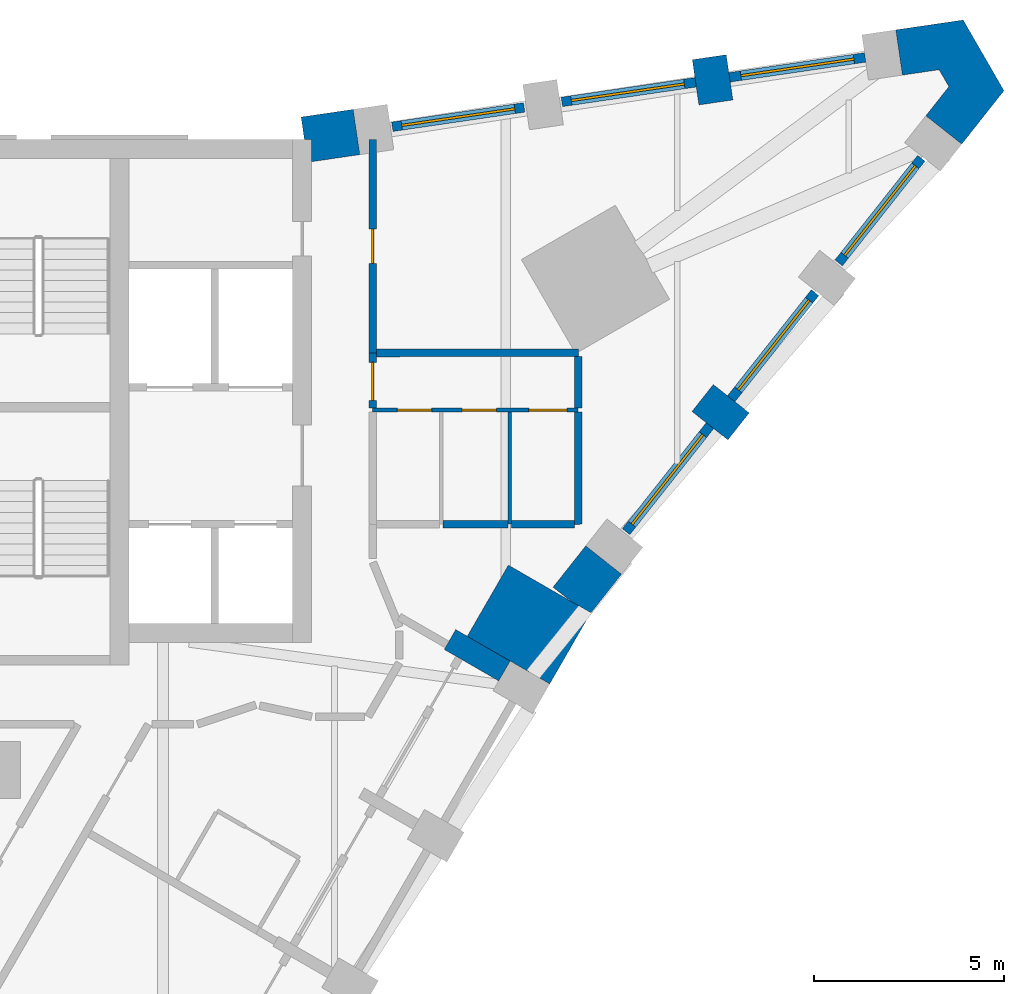
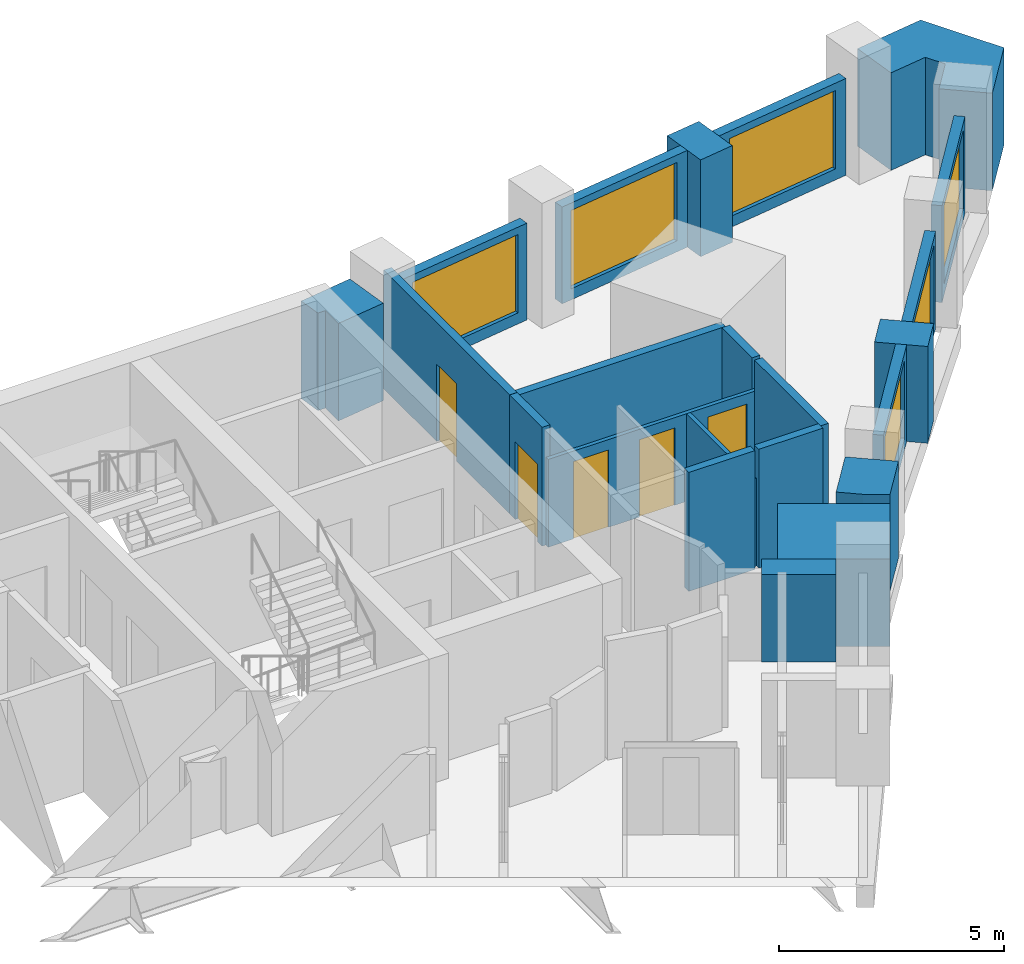
# One storey, part 9 of 11: 22 walls, 6 windows, 5 doors, 11 openings.
"""IFC4 building model written with IfcOpenShell, lengths in metres."""

from ifc_helpers import new_model, si_unit, direction, frame, frame_2d, origin, place, context, subcontext, project, spatial, polyline, rectangle, outline, extrude, material, layer, layer_set, type_object, element, fill, save


model = new_model("IFC4")

# Units and contexts
model_context = context("Model", 3, precision=1e-05, world=origin(), true_north=direction((0.0, 1.0)))
body_context = subcontext(model_context, "Body", "Model", "MODEL_VIEW")
ifc_project = project(units=[si_unit("LENGTHUNIT", "METRE"), si_unit("AREAUNIT", "SQUARE_METRE"), si_unit("VOLUMEUNIT", "CUBIC_METRE"), si_unit("PLANEANGLEUNIT", "RADIAN"), si_unit("MASSUNIT", "GRAM", prefix="KILO")], contexts=[model_context])

# Site, building, storey
site_placement = place(None, origin())
site = spatial("IfcSite", under=ifc_project, at=site_placement, CompositionType="ELEMENT")
building_placement = place(site_placement, origin())
building = spatial("IfcBuilding", under=site, at=building_placement, Name="Calabash Gate Tower", CompositionType="ELEMENT")
storey_placement = place(building_placement, frame((0.0, 0.0, 125.800048828125)))
storey = spatial("IfcBuildingStorey", under=building, at=storey_placement, Name="L29", CompositionType="ELEMENT", Elevation=125.800048828125)

# Walls
ifc_material_1 = material(Name="Terracotta brick masonry, exposed face", Category="masonry")
ifc_layer_1 = layer(ifc_material_1, 2.5)
ifc_layer_set_1 = layer_set([ifc_layer_1], Name="Brick corner mass wall 2500")
wall_type_1 = type_object("IfcWallType", Name="Brick corner mass wall 2500", PredefinedType="SOLIDWALL", material=ifc_layer_set_1)
wall_1_placement = place(storey_placement, origin())
element("IfcWall", 1, at=wall_1_placement, inside=storey, type_object=wall_type_1, Name="Brick corner pier S08 2", PredefinedType="SOLIDWALL", context=body_context, shape_type="SweptSolid", body=[
    extrude(outline(polyline([(22.564697265625, 7.878173828125), (21.486083984375, 6.01025390625), (22.612060546875, 5.360107421875), (22.6123046875, 5.360595703125), (23.651611328125, 4.7607421875), (24.729736328125, 6.628173828125), (22.564697265625, 7.878173828125)])), origin(), (0.0, 0.0, 1.0), 2.384033203125),
])
ifc_material_2 = material(Name="Terracotta brick masonry, exposed face", Category="masonry")
ifc_layer_2 = layer(ifc_material_2, 1.199951171875)
ifc_layer_set_2 = layer_set([ifc_layer_2], Name="Brick end wall 1200")
wall_type_2 = type_object("IfcWallType", Name="Brick end wall 1200", PredefinedType="SOLIDWALL", material=ifc_layer_set_2)
wall_2_placement = place(storey_placement, frame((28.6083984375, 11.5224609375, 0.0), z_axis=(0.0, 0.0, 1.0), x_axis=(-0.784408686564, 0.620244316736, 0.0)))
element("IfcWall", 2, at=wall_2_placement, inside=storey, type_object=wall_type_2, Name="Brick pier S08 wedge3.1", PredefinedType="SOLIDWALL", context=body_context, shape_type="SweptSolid", body=[
    extrude(rectangle(XDim=1.2001953125, YDim=0.89990234375, at=frame_2d((0.60009765625, 0.0))), origin(), (0.0, 0.0, 1.0), 2.6298828125),
])
wall_3_placement = place(storey_placement, frame((27.84033203125, 21.217041015625, 0.0), z_axis=(0.0, 0.0, 1.0), x_axis=(0.145066385332, -0.989421924078, 0.0)))
element("IfcWall", 3, at=wall_3_placement, inside=storey, type_object=wall_type_2, Name="Brick pier S08 wedge5.1", PredefinedType="SOLIDWALL", context=body_context, shape_type="SweptSolid", body=[
    extrude(rectangle(XDim=1.199951171875, YDim=0.89990234375, at=frame_2d((0.60009765625, 0.0))), origin(), (0.0, 0.0, 1.0), 2.6298828125),
])
wall_4_placement = place(storey_placement, origin())
element("IfcWall", 4, at=wall_4_placement, inside=storey, type_object=wall_type_2, Name="Brick end wall S08 1", PredefinedType="SOLIDWALL", context=body_context, shape_type="SweptSolid", body=[
    extrude(outline(polyline([(24.5966796875, 8.38427734375), (23.739501953125, 7.30029296875), (24.2099609375, 6.92822265625), (24.729736328125, 6.628173828125), (24.707763671875, 6.59033203125), (25.537841796875, 7.639892578125), (24.5966796875, 8.38427734375)])), origin(), (0.0, 0.0, 1.0), 2.6298828125),
])
wall_5_placement = place(storey_placement, origin())
element("IfcWall", 5, at=wall_5_placement, inside=storey, type_object=wall_type_2, Name="Brick end wall S08 2", PredefinedType="SOLIDWALL", context=body_context, shape_type="SweptSolid", body=[
    extrude(outline(polyline([(34.13330078125, 20.443359375), (33.52880859375, 19.678955078125), (34.47021484375, 18.9345703125), (35.579833984375, 20.337890625), (34.50830078125, 22.1943359375), (32.73828125, 21.934814453125), (32.912109375, 20.74755859375), (33.876220703125, 20.888916015625), (34.13330078125, 20.443359375)])), origin(), (0.0, 0.0, 1.0), 2.64990234375),
])
wall_6_placement = place(storey_placement, origin())
element("IfcWall", 6, at=wall_6_placement, inside=storey, type_object=wall_type_2, Name="Brick end wall S08 3", PredefinedType="SOLIDWALL", context=body_context, shape_type="SweptSolid", body=[
    extrude(outline(polyline([(17.123046875, 19.646240234375), (17.2099609375, 19.052490234375), (17.39990234375, 19.052490234375), (17.39990234375, 18.473876953125), (18.664306640625, 18.6591796875), (18.490234375, 19.8466796875), (17.123046875, 19.646240234375)])), origin(), (0.0, 0.0, 1.0), 2.64990234375),
])
ifc_material_3 = material(Name="Terracotta brick masonry, exposed face", Category="masonry")
ifc_layer_3 = layer(ifc_material_3, 0.300048828125)
ifc_layer_set_3 = layer_set([ifc_layer_3], Name="Brick loggia cheek wall 300")
wall_type_3 = type_object("IfcWallType", Name="Brick loggia cheek wall 300", PredefinedType="SOLIDWALL", material=ifc_layer_set_3)
wall_7_placement = place(storey_placement, frame((21.032958984375, 5.92529296875, 0.0), z_axis=(0.0, 0.0, 1.0), x_axis=(0.866040211805, -0.499974350878, 0.0)))
element("IfcWall", 7, at=wall_7_placement, inside=storey, type_object=wall_type_3, Name="Loggia cheek S08 SE2.8", PredefinedType="SOLIDWALL", context=body_context, shape_type="SweptSolid", body=[
    extrude(rectangle(XDim=1.64990234375, YDim=0.60009765625, at=frame_2d((0.824951171875, 0.0))), origin(), (0.0, 0.0, 1.0), 2.384033203125),
])
ifc_material_4 = material(Name="Gypsum board on steel studs, mineral wool", Category="steel")
ifc_layer_4 = layer(ifc_material_4, 0.10009765625)
ifc_layer_set_4 = layer_set([ifc_layer_4], Name="Partition 100 gypsum board")
wall_type_4 = type_object("IfcWallType", Name="Partition 100 gypsum board", PredefinedType="PARTITIONING", material=ifc_layer_set_4)
wall_8_placement = place(storey_placement, frame((22.60009765625, 8.952880859375, 0.0), z_axis=(0.0, 0.0, 1.0), x_axis=(0.000662525735, 0.99999978053, 0.0)))
element("IfcWall", 8, at=wall_8_placement, inside=storey, type_object=wall_type_4, Name="Partition", PredefinedType="PARTITIONING", context=body_context, shape_type="SweptSolid", body=[
    extrude(rectangle(XDim=2.947998046875, YDim=0.10009765625, at=frame_2d((1.47412109375, 0.0))), origin(), (0.0, 0.0, 1.0), 2.384033203125),
])

# Wall, openings, doors
wall_9_placement = place(storey_placement, frame((19.000244140625, 11.95068359375, 0.0), z_axis=(0.0, 0.0, 1.0), x_axis=(1.0, 0.0, 0.0)))
wall_9 = element("IfcWall", 9, at=wall_9_placement, inside=storey, type_object=wall_type_4, Name="Partition", PredefinedType="PARTITIONING", context=body_context, shape_type="SweptSolid", body=[
    extrude(rectangle(XDim=5.399658203125, YDim=0.10009765625, at=frame_2d((2.69970703125, 0.0))), origin(), (0.0, 0.0, 1.0), 2.384033203125),
])
opening_1_placement = place(wall_9_placement, frame((0.64990234375, 0.0, 0.0)))
opening_1 = element("IfcOpeningElement", 10, at=opening_1_placement, cuts=wall_9, Name="Opening 28-30-017", PredefinedType="OPENING", context=body_context, shape_type="SweptSolid", body=[
    extrude(rectangle(XDim=0.89990234375, YDim=2.10009765625, at=frame_2d((0.449951171875, 1.050048828125))), frame((0.0, 0.06005859375, 0.0), z_axis=(0.0, -1.0, 0.0), x_axis=(1.0, 0.0, 0.0)), (0.0, 0.0, 1.0), 0.1201171875),
])
opening_2_placement = place(wall_9_placement, frame((2.349853515625, 0.0, 0.0)))
opening_2 = element("IfcOpeningElement", 11, at=opening_2_placement, cuts=wall_9, Name="Opening 28-30-018", PredefinedType="OPENING", context=body_context, shape_type="SweptSolid", body=[
    extrude(rectangle(XDim=0.89990234375, YDim=2.10009765625, at=frame_2d((0.449951171875, 1.050048828125))), frame((0.0, 0.06005859375, 0.0), z_axis=(0.0, -1.0, 0.0), x_axis=(1.0, 0.0, 0.0)), (0.0, 0.0, 1.0), 0.1201171875),
])
opening_3_placement = place(wall_9_placement, frame((4.099853515625, 0.0, 0.0)))
opening_3 = element("IfcOpeningElement", 12, at=opening_3_placement, cuts=wall_9, Name="Opening 28-30-019", PredefinedType="OPENING", context=body_context, shape_type="SweptSolid", body=[
    extrude(rectangle(XDim=1.0, YDim=2.10009765625, at=frame_2d((0.5, 1.050048828125))), frame((0.0, 0.06005859375, 0.0), z_axis=(0.0, -1.0, 0.0), x_axis=(1.0, 0.0, 0.0)), (0.0, 0.0, 1.0), 0.1201171875),
])
ifc_material_5 = material(Name="Painted timber door", Category="wood")
door_type_1 = type_object("IfcDoorType", Name="WD1 WC door 900x2100", OperationType="NOTDEFINED", PredefinedType="DOOR", material=ifc_material_5)
door_1_placement = place(opening_1_placement, origin())
door_1 = element("IfcDoor", 13, at=door_1_placement, inside=storey, type_object=door_type_1, Name="WC door", OperationType="SINGLE_SWING_RIGHT", OverallHeight=2.10009765625, OverallWidth=0.89990234375, PredefinedType="DOOR", context=body_context, shape_type="SweptSolid", body=[
    extrude(rectangle(XDim=0.89990234375, YDim=2.10009765625, at=frame_2d((0.449951171875, 1.050048828125))), frame((0.0, 0.02490234375, 0.0), z_axis=(0.0, -1.0, 0.0), x_axis=(1.0, 0.0, 0.0)), (0.0, 0.0, 1.0), 0.050048828125),
])
fill(opening_1, door_1)
door_2_placement = place(opening_2_placement, origin())
door_2 = element("IfcDoor", 14, at=door_2_placement, inside=storey, type_object=door_type_1, Name="WC door", OperationType="SINGLE_SWING_LEFT", OverallHeight=2.10009765625, OverallWidth=0.89990234375, PredefinedType="DOOR", context=body_context, shape_type="SweptSolid", body=[
    extrude(rectangle(XDim=0.89990234375, YDim=2.10009765625, at=frame_2d((0.449951171875, 1.050048828125))), frame((0.0, 0.02490234375, 0.0), z_axis=(0.0, -1.0, 0.0), x_axis=(1.0, 0.0, 0.0)), (0.0, 0.0, 1.0), 0.050048828125),
])
fill(opening_2, door_2)
ifc_material_6 = material(Name="Painted timber door", Category="wood")
door_type_2 = type_object("IfcDoorType", Name="WD2 Accessible WC door 1000x2100", OperationType="NOTDEFINED", PredefinedType="DOOR", material=ifc_material_6)
door_3_placement = place(opening_3_placement, origin())
door_3 = element("IfcDoor", 15, at=door_3_placement, inside=storey, type_object=door_type_2, Name="Accessible WC door", OperationType="SINGLE_SWING_LEFT", OverallHeight=2.10009765625, OverallWidth=1.0, PredefinedType="DOOR", context=body_context, shape_type="SweptSolid", body=[
    extrude(rectangle(XDim=1.0, YDim=2.10009765625, at=frame_2d((0.5, 1.050048828125))), frame((0.0, 0.02490234375, 0.0), z_axis=(0.0, -1.0, 0.0), x_axis=(1.0, 0.0, 0.0)), (0.0, 0.0, 1.0), 0.050048828125),
])
fill(opening_3, door_3)

# Walls
ifc_material_7 = material(Name="Gypsum board on steel studs, mineral wool", Category="steel")
ifc_layer_5 = layer(ifc_material_7, 0.199951171875)
ifc_layer_set_5 = layer_set([ifc_layer_5], Name="Partition 200 gypsum board EI 60")
wall_type_5 = type_object("IfcWallType", Name="Partition 200 gypsum board EI 60", PredefinedType="PARTITIONING", material=ifc_layer_set_5)
wall_10_placement = place(storey_placement, frame((20.85009765625, 8.952880859375, 0.0), z_axis=(0.0, 0.0, 1.0), x_axis=(0.999999628739, 0.000861697224, 0.0)))
element("IfcWall", 16, at=wall_10_placement, inside=storey, type_object=wall_type_5, Name="Partition", PredefinedType="PARTITIONING", context=body_context, shape_type="SweptSolid", body=[
    extrude(rectangle(XDim=1.699951171875, YDim=0.199951171875, at=frame_2d((0.85009765625, 0.0))), origin(), (0.0, 0.0, 1.0), 3.22998046875),
])
wall_11_placement = place(storey_placement, frame((22.650146484375, 8.952880859375, 0.0), z_axis=(0.0, 0.0, 1.0), x_axis=(1.0, 0.0, 0.0)))
element("IfcWall", 17, at=wall_11_placement, inside=storey, type_object=wall_type_5, Name="Partition", PredefinedType="PARTITIONING", context=body_context, shape_type="SweptSolid", body=[
    extrude(rectangle(XDim=1.64990234375, YDim=0.199951171875, at=frame_2d((0.824951171875, 0.0))), origin(), (0.0, 0.0, 1.0), 3.22998046875),
])
wall_12_placement = place(storey_placement, frame((24.398193359375, 11.902587890625, 0.0), z_axis=(0.0, 0.0, 1.0), x_axis=(0.000579374179, -0.999999832163, 0.0)))
element("IfcWall", 18, at=wall_12_placement, inside=storey, type_object=wall_type_5, Name="Partition", PredefinedType="PARTITIONING", context=body_context, shape_type="SweptSolid", body=[
    extrude(rectangle(XDim=2.94970703125, YDim=0.199951171875, at=frame_2d((1.474853515625, 0.0))), origin(), (0.0, 0.0, 1.0), 3.22998046875),
])
wall_13_placement = place(storey_placement, frame((24.3984375, 12.002685546875, 0.0), z_axis=(0.0, 0.0, 1.0), x_axis=(0.00108499032, 0.999999411398, 0.0)))
element("IfcWall", 19, at=wall_13_placement, inside=storey, type_object=wall_type_5, Name="Partition", PredefinedType="PARTITIONING", context=body_context, shape_type="SweptSolid", body=[
    extrude(rectangle(XDim=1.35009765625, YDim=0.199951171875, at=frame_2d((0.675048828125, 0.0))), origin(), (0.0, 0.0, 1.0), 3.22998046875),
])

# Wall, opening, door
wall_14_placement = place(storey_placement, frame((19.00048828125, 19.052490234375, 0.0), z_axis=(0.0, 0.0, 1.0), x_axis=(0.000261608886, -0.99999996578, 0.0)))
wall_14 = element("IfcWall", 20, at=wall_14_placement, inside=storey, type_object=wall_type_5, Name="Partition", PredefinedType="PARTITIONING", context=body_context, shape_type="SweptSolid", body=[
    extrude(rectangle(XDim=5.599365234375, YDim=0.199951171875, at=frame_2d((2.7998046875, 0.0))), origin(), (0.0, 0.0, 1.0), 3.22998046875),
])
opening_4_placement = place(wall_14_placement, frame((2.349853515625, 0.0, 0.0)))
opening_4 = element("IfcOpeningElement", 21, at=opening_4_placement, cuts=wall_14, Name="Opening 28-30-022", PredefinedType="OPENING", context=body_context, shape_type="SweptSolid", body=[
    extrude(rectangle(XDim=0.89990234375, YDim=2.10009765625, at=frame_2d((0.449951171875, 1.050048828125))), frame((0.0, 0.10986328125, 0.0), z_axis=(0.0, -1.0, 0.0), x_axis=(1.0, 0.0, 0.0)), (0.0, 0.0, 1.0), 0.219970703125),
])
ifc_material_8 = material(Name="Steel fire door set with fire-resisting glazing", Category="steel")
door_type_3 = type_object("IfcDoorType", Name="SD3 Store door 900x2100", OperationType="NOTDEFINED", PredefinedType="DOOR", material=ifc_material_8)
door_4_placement = place(opening_4_placement, origin())
door_4 = element("IfcDoor", 22, at=door_4_placement, inside=storey, type_object=door_type_3, Name="Store door", OperationType="SINGLE_SWING_RIGHT", OverallHeight=2.10009765625, OverallWidth=0.89990234375, PredefinedType="DOOR", context=body_context, shape_type="SweptSolid", body=[
    extrude(rectangle(XDim=0.89990234375, YDim=2.10009765625, at=frame_2d((0.449951171875, 1.050048828125))), frame((0.0, 0.02490234375, 0.0), z_axis=(0.0, -1.0, 0.0), x_axis=(1.0, 0.0, 0.0)), (0.0, 0.0, 1.0), 0.050048828125),
])
fill(opening_4, door_4)

wall_15_placement = place(storey_placement, frame((19.000244140625, 12.002685546875, 0.0), z_axis=(0.0, 0.0, 1.0), x_axis=(0.001179840743, 0.999999303988, 0.0)))
wall_15 = element("IfcWall", 23, at=wall_15_placement, inside=storey, type_object=wall_type_5, Name="Partition", PredefinedType="PARTITIONING", context=body_context, shape_type="SweptSolid", body=[
    extrude(rectangle(XDim=1.448486328125, YDim=0.199951171875, at=frame_2d((0.72412109375, 0.0))), origin(), (0.0, 0.0, 1.0), 3.22998046875),
])
opening_5_placement = place(wall_15_placement, frame((0.199951171875, 0.0, 0.0)))
opening_5 = element("IfcOpeningElement", 24, at=opening_5_placement, cuts=wall_15, Name="Opening 28-30-016", PredefinedType="OPENING", context=body_context, shape_type="SweptSolid", body=[
    extrude(rectangle(XDim=1.0, YDim=2.10009765625, at=frame_2d((0.5, 1.050048828125))), frame((0.0, 0.10986328125, 0.0), z_axis=(0.0, -1.0, 0.0), x_axis=(1.0, 0.0, 0.0)), (0.0, 0.0, 1.0), 0.219970703125),
])
ifc_material_9 = material(Name="Steel fire door set with fire-resisting glazing", Category="steel")
door_type_4 = type_object("IfcDoorType", Name="WD3 WC lobby door 1000x2100", OperationType="NOTDEFINED", PredefinedType="DOOR", material=ifc_material_9)
door_5_placement = place(opening_5_placement, origin())
door_5 = element("IfcDoor", 25, at=door_5_placement, inside=storey, type_object=door_type_4, Name="WC lobby door", OperationType="SINGLE_SWING_RIGHT", OverallHeight=2.10009765625, OverallWidth=1.0, PredefinedType="DOOR", context=body_context, shape_type="SweptSolid", body=[
    extrude(rectangle(XDim=1.0, YDim=2.10009765625, at=frame_2d((0.5, 1.050048828125))), frame((0.0, 0.02490234375, 0.0), z_axis=(0.0, -1.0, 0.0), x_axis=(1.0, 0.0, 0.0)), (0.0, 0.0, 1.0), 0.050048828125),
])
fill(opening_5, door_5)

# Wall
wall_16_placement = place(storey_placement, frame((19.10205078125, 13.451171875, 0.0), z_axis=(0.0, 0.0, 1.0), x_axis=(0.999999947971, 0.000322580628, 0.0)))
element("IfcWall", 26, at=wall_16_placement, inside=storey, type_object=wall_type_5, Name="Partition", PredefinedType="PARTITIONING", context=body_context, shape_type="SweptSolid", body=[
    extrude(rectangle(XDim=5.2978515625, YDim=0.199951171875, at=frame_2d((2.64892578125, 0.0))), origin(), (0.0, 0.0, 1.0), 3.22998046875),
])

# Wall, opening, window
ifc_material_10 = material(Name="Aluminium framed window wall with insulated spandrel", Category="aluminium")
ifc_layer_6 = layer(ifc_material_10, 0.25)
ifc_layer_set_6 = layer_set([ifc_layer_6], Name="Prow window wall 250")
wall_type_6 = type_object("IfcWallType", Name="Prow window wall 250", PredefinedType="ELEMENTEDWALL", material=ifc_layer_set_6)
wall_17_placement = place(storey_placement, frame((25.656494140625, 8.757080078125, 0.0), z_axis=(0.0, 0.0, 1.0), x_axis=(0.620301477136, 0.784363485549, 0.0)))
wall_17 = element("IfcWall", 27, at=wall_17_placement, inside=storey, type_object=wall_type_6, Name="Prow window wall S08 wedge3.1", PredefinedType="ELEMENTEDWALL", context=body_context, shape_type="SweptSolid", body=[
    extrude(rectangle(XDim=3.552001953125, YDim=0.25, at=frame_2d((1.77587890625, 0.0))), origin(), (0.0, 0.0, 1.0), 2.6298828125),
])
opening_6_placement = place(wall_17_placement, frame((0.25, 0.0, 0.300048828125)))
opening_6 = element("IfcOpeningElement", 28, at=opening_6_placement, cuts=wall_17, Name="Opening WP1L-2130", PredefinedType="OPENING", context=body_context, shape_type="SweptSolid", body=[
    extrude(rectangle(XDim=3.0, YDim=2.1298828125, at=frame_2d((1.5, 1.06494140625))), frame((0.0, 0.135009765625, 0.0), z_axis=(0.0, -1.0, 0.0), x_axis=(1.0, 0.0, 0.0)), (0.0, 0.0, 1.0), 0.27001953125),
])
ifc_material_11 = material(Name="Anodised aluminium frame, bronze finish, impact-rated laminated clear glazing", Category="aluminium")
window_type = type_object("IfcWindowType", Name="Window WP1L 3000x2130", PartitioningType="DOUBLE_PANEL_VERTICAL", PredefinedType="WINDOW", material=ifc_material_11)
window_1_placement = place(opening_6_placement, origin())
window_1 = element("IfcWindow", 29, at=window_1_placement, inside=storey, type_object=window_type, Name="Prow window WP1L S08 wedge3.1", OverallHeight=2.1298828125, OverallWidth=3.0, PartitioningType="SINGLE_PANEL", PredefinedType="WINDOW", context=body_context, shape_type="SweptSolid", body=[
    extrude(rectangle(XDim=3.0, YDim=2.1298828125, at=frame_2d((1.5, 1.06494140625))), frame((0.0, 0.030029296875, 0.0), z_axis=(0.0, -1.0, 0.0), x_axis=(1.0, 0.0, 0.0)), (0.0, 0.0, 1.0), 0.06005859375),
])
fill(opening_6, window_1)

wall_18_placement = place(storey_placement, frame((28.41552734375, 12.24609375, 0.0), z_axis=(0.0, 0.0, 1.0), x_axis=(0.620334919108, 0.784337037335, 0.0)))
wall_18 = element("IfcWall", 30, at=wall_18_placement, inside=storey, type_object=wall_type_6, Name="Prow window wall S08 wedge3.2", PredefinedType="ELEMENTEDWALL", context=body_context, shape_type="SweptSolid", body=[
    extrude(rectangle(XDim=3.552001953125, YDim=0.25, at=frame_2d((1.77587890625, 0.0))), origin(), (0.0, 0.0, 1.0), 2.6298828125),
])
opening_7_placement = place(wall_18_placement, frame((0.302001953125, 0.0, 0.300048828125)))
opening_7 = element("IfcOpeningElement", 31, at=opening_7_placement, cuts=wall_18, Name="Opening WP1L-2130", PredefinedType="OPENING", context=body_context, shape_type="SweptSolid", body=[
    extrude(rectangle(XDim=3.0, YDim=2.1298828125, at=frame_2d((1.5, 1.06494140625))), frame((0.0, 0.135009765625, 0.0), z_axis=(0.0, -1.0, 0.0), x_axis=(1.0, 0.0, 0.0)), (0.0, 0.0, 1.0), 0.27001953125),
])
window_2_placement = place(opening_7_placement, origin())
window_2 = element("IfcWindow", 32, at=window_2_placement, inside=storey, type_object=window_type, Name="Prow window WP1L S08 wedge3.2", OverallHeight=2.1298828125, OverallWidth=3.0, PartitioningType="SINGLE_PANEL", PredefinedType="WINDOW", context=body_context, shape_type="SweptSolid", body=[
    extrude(rectangle(XDim=3.0, YDim=2.1298828125, at=frame_2d((1.5, 1.06494140625))), frame((0.0, 0.030029296875, 0.0), z_axis=(0.0, -1.0, 0.0), x_axis=(1.0, 0.0, 0.0)), (0.0, 0.0, 1.0), 0.06005859375),
])
fill(opening_7, window_2)

wall_19_placement = place(storey_placement, frame((31.2392578125, 15.81640625, 0.0), z_axis=(0.0, 0.0, 1.0), x_axis=(0.620261535806, 0.784395070866, 0.0)))
wall_19 = element("IfcWall", 33, at=wall_19_placement, inside=storey, type_object=wall_type_6, Name="Prow window wall S08 wedge3.3", PredefinedType="ELEMENTEDWALL", context=body_context, shape_type="SweptSolid", body=[
    extrude(rectangle(XDim=3.5, YDim=0.25, at=frame_2d((1.75, 0.0))), origin(), (0.0, 0.0, 1.0), 2.6298828125),
])
opening_8_placement = place(wall_19_placement, frame((0.25, 0.0, 0.300048828125)))
opening_8 = element("IfcOpeningElement", 34, at=opening_8_placement, cuts=wall_19, Name="Opening WP1L-2130", PredefinedType="OPENING", context=body_context, shape_type="SweptSolid", body=[
    extrude(rectangle(XDim=3.0, YDim=2.1298828125, at=frame_2d((1.5, 1.06494140625))), frame((0.0, 0.135009765625, 0.0), z_axis=(0.0, -1.0, 0.0), x_axis=(1.0, 0.0, 0.0)), (0.0, 0.0, 1.0), 0.27001953125),
])
window_3_placement = place(opening_8_placement, origin())
window_3 = element("IfcWindow", 35, at=window_3_placement, inside=storey, type_object=window_type, Name="Prow window WP1L S08 wedge3.3", OverallHeight=2.1298828125, OverallWidth=3.0, PartitioningType="SINGLE_PANEL", PredefinedType="WINDOW", context=body_context, shape_type="SweptSolid", body=[
    extrude(rectangle(XDim=3.0, YDim=2.1298828125, at=frame_2d((1.5, 1.06494140625))), frame((0.0, 0.030029296875, 0.0), z_axis=(0.0, -1.0, 0.0), x_axis=(1.0, 0.0, 0.0)), (0.0, 0.0, 1.0), 0.06005859375),
])
fill(opening_8, window_3)

wall_20_placement = place(storey_placement, frame((31.9345703125, 21.210693359375, 0.0), z_axis=(0.0, 0.0, 1.0), x_axis=(-0.98942335115, -0.145056651687, 0.0)))
wall_20 = element("IfcWall", 36, at=wall_20_placement, inside=storey, type_object=wall_type_6, Name="Prow window wall S08 wedge5.1", PredefinedType="ELEMENTEDWALL", context=body_context, shape_type="SweptSolid", body=[
    extrude(rectangle(XDim=3.60009765625, YDim=0.25, at=frame_2d((1.800048828125, 0.0))), origin(), (0.0, 0.0, 1.0), 2.6298828125),
])
opening_9_placement = place(wall_20_placement, frame((0.300048828125, 0.0, 0.300048828125)))
opening_9 = element("IfcOpeningElement", 37, at=opening_9_placement, cuts=wall_20, Name="Opening WP1L-2130", PredefinedType="OPENING", context=body_context, shape_type="SweptSolid", body=[
    extrude(rectangle(XDim=3.0, YDim=2.1298828125, at=frame_2d((1.5, 1.06494140625))), frame((0.0, 0.135009765625, 0.0), z_axis=(0.0, -1.0, 0.0), x_axis=(1.0, 0.0, 0.0)), (0.0, 0.0, 1.0), 0.27001953125),
])
window_4_placement = place(opening_9_placement, origin())
window_4 = element("IfcWindow", 38, at=window_4_placement, inside=storey, type_object=window_type, Name="Prow window WP1L S08 wedge5.1", OverallHeight=2.1298828125, OverallWidth=3.0, PartitioningType="SINGLE_PANEL", PredefinedType="WINDOW", context=body_context, shape_type="SweptSolid", body=[
    extrude(rectangle(XDim=3.0, YDim=2.1298828125, at=frame_2d((1.5, 1.06494140625))), frame((0.0, 0.030029296875, 0.0), z_axis=(0.0, -1.0, 0.0), x_axis=(1.0, 0.0, 0.0)), (0.0, 0.0, 1.0), 0.06005859375),
])
fill(opening_9, window_4)

wall_21_placement = place(storey_placement, frame((27.484130859375, 20.558349609375, 0.0), z_axis=(0.0, 0.0, 1.0), x_axis=(-0.989427410985, -0.145028957081, 0.0)))
wall_21 = element("IfcWall", 39, at=wall_21_placement, inside=storey, type_object=wall_type_6, Name="Prow window wall S08 wedge5.2", PredefinedType="ELEMENTEDWALL", context=body_context, shape_type="SweptSolid", body=[
    extrude(rectangle(XDim=3.552001953125, YDim=0.25, at=frame_2d((1.77587890625, 0.0))), origin(), (0.0, 0.0, 1.0), 2.6298828125),
])
opening_10_placement = place(wall_21_placement, frame((0.302001953125, 0.0, 0.300048828125)))
opening_10 = element("IfcOpeningElement", 40, at=opening_10_placement, cuts=wall_21, Name="Opening WP1L-2130", PredefinedType="OPENING", context=body_context, shape_type="SweptSolid", body=[
    extrude(rectangle(XDim=3.0, YDim=2.1298828125, at=frame_2d((1.5, 1.06494140625))), frame((0.0, 0.135009765625, 0.0), z_axis=(0.0, -1.0, 0.0), x_axis=(1.0, 0.0, 0.0)), (0.0, 0.0, 1.0), 0.27001953125),
])
window_5_placement = place(opening_10_placement, origin())
window_5 = element("IfcWindow", 41, at=window_5_placement, inside=storey, type_object=window_type, Name="Prow window WP1L S08 wedge5.2", OverallHeight=2.1298828125, OverallWidth=3.0, PartitioningType="SINGLE_PANEL", PredefinedType="WINDOW", context=body_context, shape_type="SweptSolid", body=[
    extrude(rectangle(XDim=3.0, YDim=2.1298828125, at=frame_2d((1.5, 1.06494140625))), frame((0.0, 0.030029296875, 0.0), z_axis=(0.0, -1.0, 0.0), x_axis=(1.0, 0.0, 0.0)), (0.0, 0.0, 1.0), 0.06005859375),
])
fill(opening_10, window_5)

wall_22_placement = place(storey_placement, frame((22.980224609375, 19.898193359375, 0.0), z_axis=(0.0, 0.0, 1.0), x_axis=(-0.989428130675, -0.145024047072, 0.0)))
wall_22 = element("IfcWall", 42, at=wall_22_placement, inside=storey, type_object=wall_type_6, Name="Prow window wall S08 wedge5.3", PredefinedType="ELEMENTEDWALL", context=body_context, shape_type="SweptSolid", body=[
    extrude(rectangle(XDim=3.5, YDim=0.25, at=frame_2d((1.75, 0.0))), origin(), (0.0, 0.0, 1.0), 2.6298828125),
])
opening_11_placement = place(wall_22_placement, frame((0.25, 0.0, 0.300048828125)))
opening_11 = element("IfcOpeningElement", 43, at=opening_11_placement, cuts=wall_22, Name="Opening WP1L-2130", PredefinedType="OPENING", context=body_context, shape_type="SweptSolid", body=[
    extrude(rectangle(XDim=3.0, YDim=2.1298828125, at=frame_2d((1.5, 1.06494140625))), frame((0.0, 0.135009765625, 0.0), z_axis=(0.0, -1.0, 0.0), x_axis=(1.0, 0.0, 0.0)), (0.0, 0.0, 1.0), 0.27001953125),
])
window_6_placement = place(opening_11_placement, origin())
window_6 = element("IfcWindow", 44, at=window_6_placement, inside=storey, type_object=window_type, Name="Prow window WP1L S08 wedge5.3", OverallHeight=2.1298828125, OverallWidth=3.0, PartitioningType="SINGLE_PANEL", PredefinedType="WINDOW", context=body_context, shape_type="SweptSolid", body=[
    extrude(rectangle(XDim=3.0, YDim=2.1298828125, at=frame_2d((1.5, 1.06494140625))), frame((0.0, 0.030029296875, 0.0), z_axis=(0.0, -1.0, 0.0), x_axis=(1.0, 0.0, 0.0)), (0.0, 0.0, 1.0), 0.06005859375),
])
fill(opening_11, window_6)

save(model, "model.ifc")
